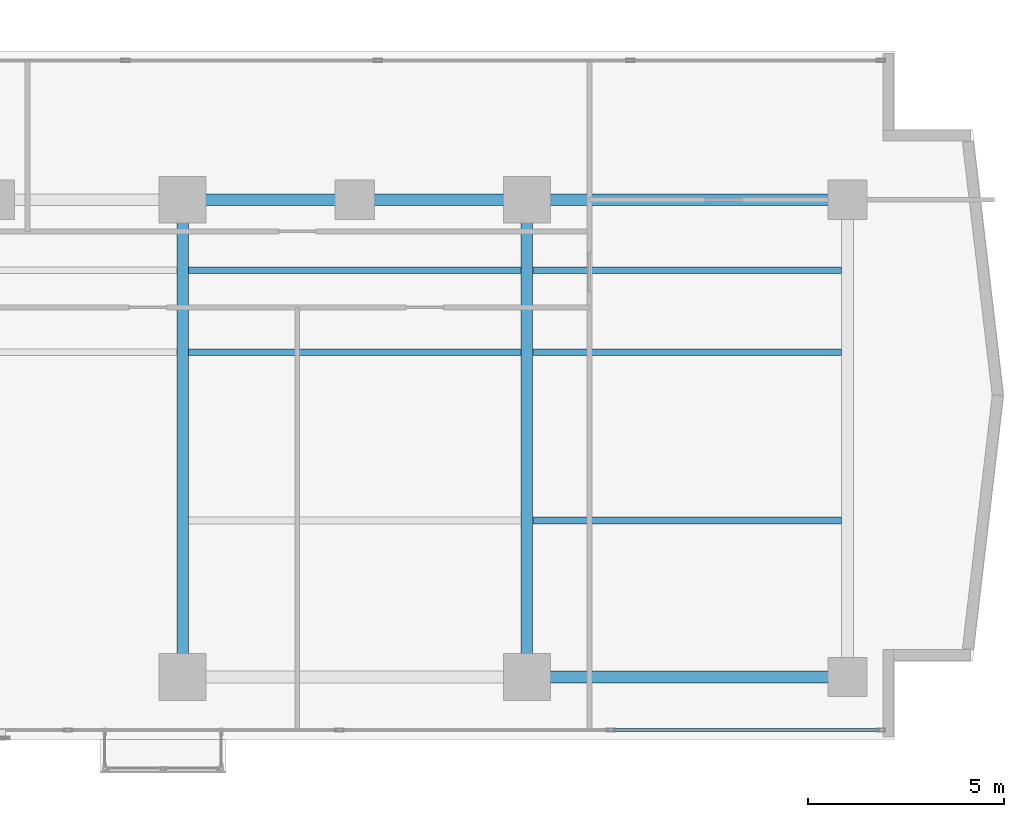
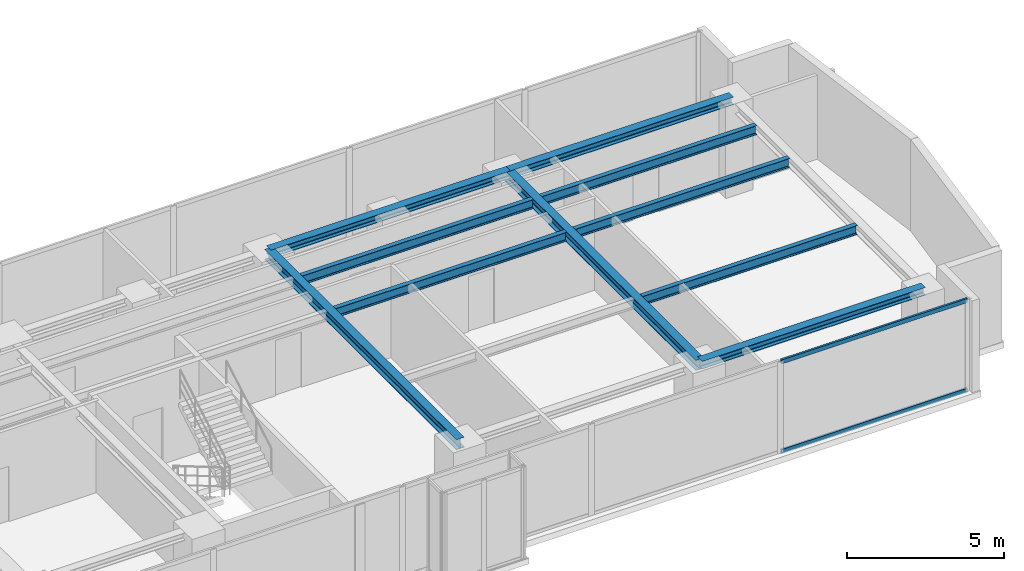
# One storey, part 12 of 27: 10 beams, 2 members, 1 element without a shape of its own.
"""IFC4 building model written with IfcOpenShell, lengths in metres."""

from ifc_helpers import new_model, si_unit, direction, frame, origin, origin_with_axes, origin_2d, place, context, subcontext, project, spatial, hollow_rectangle, i_section, extrude, source, transform, mapped, material, layer, layer_set, material_profile, profile_set, type_object, element, aggregate, save


model = new_model("IFC4")

# Units and contexts
model_context = context("Model", 3, precision=1e-05, world=origin(), true_north=direction((0.0, 1.0)))
body_context = subcontext(model_context, "Body", "Model", "MODEL_VIEW")
ifc_project = project(units=[si_unit("LENGTHUNIT", "METRE"), si_unit("AREAUNIT", "SQUARE_METRE"), si_unit("VOLUMEUNIT", "CUBIC_METRE"), si_unit("PLANEANGLEUNIT", "RADIAN"), si_unit("MASSUNIT", "GRAM", prefix="KILO")], contexts=[model_context])

# Site, building, storey
site_placement = place(None, origin())
site = spatial("IfcSite", under=ifc_project, at=site_placement, CompositionType="ELEMENT")
building_placement = place(site_placement, origin())
building = spatial("IfcBuilding", under=site, at=building_placement, Name="Kolvaren Waterfront Exchange", CompositionType="ELEMENT")
storey_placement = place(building_placement, frame((0.0, 0.0, 191.800048828125)))
storey = spatial("IfcBuildingStorey", under=building, at=storey_placement, Name="L49", CompositionType="ELEMENT", Elevation=191.800048828125)

# Beams
ifc_material_1 = material(Name="Steel S355", Category="steel")
ifc_material_profile_1 = material_profile(ifc_material_1, i_section(OverallWidth=0.300048828125, OverallDepth=0.300048828125, WebThickness=0.010986328125, FlangeThickness=0.01904296875, FilletRadius=0.027099609375, at=origin_2d()), Name="HEB300")
ifc_profile_set_1 = profile_set([ifc_material_profile_1], Name="Steel S355")
beam_type_1 = type_object("IfcBeamType", Name="STR-BM-HEB300", PredefinedType="SPANDREL", material=ifc_profile_set_1)
beam_1_placement = place(storey_placement, frame((45.60009765625, 5.199951171875, 3.409912109375), z_axis=(1.0, 0.0, 0.0), x_axis=(0.0, 1.0, 0.0)))
element("IfcBeam", 1, at=beam_1_placement, inside=storey, type_object=beam_type_1, Name="L49 east-arm spandrel S4", PredefinedType="SPANDREL", context=body_context, shape_type="SweptSolid", body=[
    extrude(i_section(OverallWidth=0.300048828125, OverallDepth=0.300048828125, WebThickness=0.010986328125, FlangeThickness=0.01904296875, FilletRadius=0.027099609375, at=origin_2d()), origin(), (0.0, 0.0, 1.0), 8.199951171875),
])
beam_2_placement = place(storey_placement, frame((36.800048828125, 17.39990234375, 3.409912109375), z_axis=(1.0, 0.0, 0.0), x_axis=(0.0, 1.0, 0.0)))
element("IfcBeam", 2, at=beam_2_placement, inside=storey, type_object=beam_type_1, Name="L49 east-arm spandrel N3", PredefinedType="SPANDREL", context=body_context, shape_type="SweptSolid", body=[
    extrude(i_section(OverallWidth=0.300048828125, OverallDepth=0.300048828125, WebThickness=0.010986328125, FlangeThickness=0.01904296875, FilletRadius=0.027099609375, at=origin_2d()), origin(), (0.0, 0.0, 1.0), 8.800048828125),
])
beam_3_placement = place(storey_placement, frame((45.60009765625, 17.39990234375, 3.409912109375), z_axis=(1.0, 0.0, 0.0), x_axis=(0.0, 1.0, 0.0)))
element("IfcBeam", 3, at=beam_3_placement, inside=storey, type_object=beam_type_1, Name="L49 east-arm spandrel N4", PredefinedType="SPANDREL", context=body_context, shape_type="SweptSolid", body=[
    extrude(i_section(OverallWidth=0.300048828125, OverallDepth=0.300048828125, WebThickness=0.010986328125, FlangeThickness=0.01904296875, FilletRadius=0.027099609375, at=origin_2d()), origin(), (0.0, 0.0, 1.0), 8.199951171875),
])
ifc_material_profile_2 = material_profile(ifc_material_1, i_section(OverallWidth=0.300048828125, OverallDepth=0.39990234375, WebThickness=0.013427734375, FlangeThickness=0.02392578125, FilletRadius=0.027099609375, at=origin_2d()), Name="HEB400")
ifc_profile_set_2 = profile_set([ifc_material_profile_2], Name="Steel S355")
beam_type_2 = type_object("IfcBeamType", Name="STR-BM-HEB400", PredefinedType="BEAM", material=ifc_profile_set_2)
for number, where, z_axis, x_axis, name in (
    (4, (36.800048828125, 5.199951171875, 3.35986328125), (0.0, 1.0, 0.0), (-1.0, 0.0, 0.0), "L49 east-arm transverse girder X36"),
    (5, (45.60009765625, 5.199951171875, 3.35986328125), (0.0, 1.0, 0.0), (-1.0, 0.0, 0.0), "L49 east-arm transverse girder X45"),
):
    element("IfcBeam", number, at=place(storey_placement, frame(where, z_axis=z_axis, x_axis=x_axis)), inside=storey, type_object=beam_type_2, Name=name, PredefinedType="BEAM", context=body_context, shape_type="SweptSolid", body=[
        extrude(i_section(OverallWidth=0.300048828125, OverallDepth=0.39990234375, WebThickness=0.013427734375, FlangeThickness=0.02392578125, FilletRadius=0.027099609375, at=origin_2d()), origin(), (0.0, 0.0, 1.0), 12.199951171875),
    ])
ifc_material_profile_3 = material_profile(ifc_material_1, i_section(OverallWidth=0.169921875, OverallDepth=0.360107421875, WebThickness=0.008056640625, FlangeThickness=0.0126953125, FilletRadius=0.01806640625, at=origin_2d()), Name="IPE360")
ifc_profile_set_3 = profile_set([ifc_material_profile_3], Name="Steel S355")
beam_type_3 = type_object("IfcBeamType", Name="STR-BM-IPE360", PredefinedType="JOIST", material=ifc_profile_set_3)
for number, where, z_axis, x_axis, name in (
    (6, (36.951904296875, 13.5, 3.3798828125), (1.0, 0.0, 0.0), (0.0, 1.0, 0.0), "L49 east-arm composite joist 3A"),
    (7, (36.951904296875, 15.60009765625, 3.3798828125), (1.0, 0.0, 0.0), (0.0, 1.0, 0.0), "L49 east-arm composite joist 3C"),
):
    element("IfcBeam", number, at=place(storey_placement, frame(where, z_axis=z_axis, x_axis=x_axis)), inside=storey, type_object=beam_type_3, Name=name, PredefinedType="JOIST", context=body_context, shape_type="SweptSolid", body=[
        extrude(i_section(OverallWidth=0.169921875, OverallDepth=0.360107421875, WebThickness=0.008056640625, FlangeThickness=0.0126953125, FilletRadius=0.01806640625, at=origin_2d()), origin(), (0.0, 0.0, 1.0), 8.49609375),
    ])
for number, where, z_axis, x_axis, name in (
    (8, (45.751953125, 13.5, 3.3798828125), (1.0, 0.0, 0.0), (0.0, 1.0, 0.0), "L49 east-arm composite joist 4A"),
    (9, (45.751953125, 15.60009765625, 3.3798828125), (1.0, 0.0, 0.0), (0.0, 1.0, 0.0), "L49 east-arm composite joist 4C"),
    (10, (45.751953125, 9.199951171875, 3.3798828125), (1.0, 0.0, 0.0), (0.0, 1.0, 0.0), "L49 east-arm composite joist 4B"),
):
    element("IfcBeam", number, at=place(storey_placement, frame(where, z_axis=z_axis, x_axis=x_axis)), inside=storey, type_object=beam_type_3, Name=name, PredefinedType="JOIST", context=body_context, shape_type="SweptSolid", body=[
        extrude(i_section(OverallWidth=0.169921875, OverallDepth=0.360107421875, WebThickness=0.008056640625, FlangeThickness=0.0126953125, FilletRadius=0.01806640625, at=origin_2d()), origin(), (0.0, 0.0, 1.0), 7.89599609375),
    ])

# Curtain wall, members
ifc_material_2 = material(Name="Anodised bronze aluminium 6063-T6", Category="aluminium")
ifc_layer = layer(ifc_material_2, 0.219970703125, Name="Anodised bronze aluminium 6063-T6")
ifc_layer_set = layer_set([ifc_layer], Name="Anodised bronze aluminium 6063-T6")
curtain_wall_type = type_object("IfcCurtainWallType", Name="ARC-CW-SYS1", PredefinedType="USERDEFINED", material=ifc_layer_set)
curtain_wall_placement = place(storey_placement, origin())
curtain_wall = element("IfcCurtainWall", 11, at=curtain_wall_placement, inside=storey, type_object=curtain_wall_type, Name="L49 stick curtain wall CW1 (CW-L49-S)", ObjectType="STICK CURTAIN WALL", PredefinedType="USERDEFINED")
ifc_material_3 = material(Name="Anodised aluminium 6063-T6", Category="aluminium")
ifc_material_profile_4 = material_profile(ifc_material_3, hollow_rectangle(XDim=0.074951171875, YDim=0.159912109375, WallThickness=0.00439453125, at=origin_2d()), Name="ALU-TRN-160x75x4.5")
ifc_profile_set_4 = profile_set([ifc_material_profile_4], Name="Anodised aluminium 6063-T6")
member_type = type_object("IfcMemberType", Name="ARC-CWT-160", PredefinedType="USERDEFINED", material=ifc_profile_set_4)
shared_shape = source(origin_with_axes(), body_context, "Body", "SweptSolid", [
    extrude(hollow_rectangle(XDim=0.074951171875, YDim=0.159912109375, WallThickness=0.00439453125, at=origin_2d()), origin(), (0.0, 0.0, 1.0), 6.822998046875),
])
member_1_placement = place(storey_placement, frame((47.797119140625, 3.840087890625, 0.037353515625), z_axis=(1.0, 0.0, 0.0), x_axis=(0.0, 1.0, 0.0)))
member_1 = element("IfcMember", 12, at=member_1_placement, type_object=member_type, Name="CW1 transom 7.1", ObjectType="TRANSOM", PredefinedType="USERDEFINED", context=body_context, shape_type="MappedRepresentation", body=[
    mapped(shared_shape, transform((0.0, 0.0, 0.0), x_axis=(1.0, 0.0, 0.0), y_axis=(0.0, 1.0, 0.0), z_axis=(0.0, 0.0, 1.0), scale=1.0)),
])
member_2_placement = place(storey_placement, frame((47.797119140625, 3.840087890625, 3.5224609375), z_axis=(1.0, 0.0, 0.0), x_axis=(0.0, 1.0, 0.0)))
member_2 = element("IfcMember", 13, at=member_2_placement, type_object=member_type, Name="CW1 transom 7.2", ObjectType="TRANSOM", PredefinedType="USERDEFINED", context=body_context, shape_type="MappedRepresentation", body=[
    mapped(shared_shape, transform((0.0, 0.0, 0.0), x_axis=(1.0, 0.0, 0.0), y_axis=(0.0, 1.0, 0.0), z_axis=(0.0, 0.0, 1.0), scale=1.0)),
])
aggregate(curtain_wall, [member_1, member_2])

save(model, "model.ifc")
